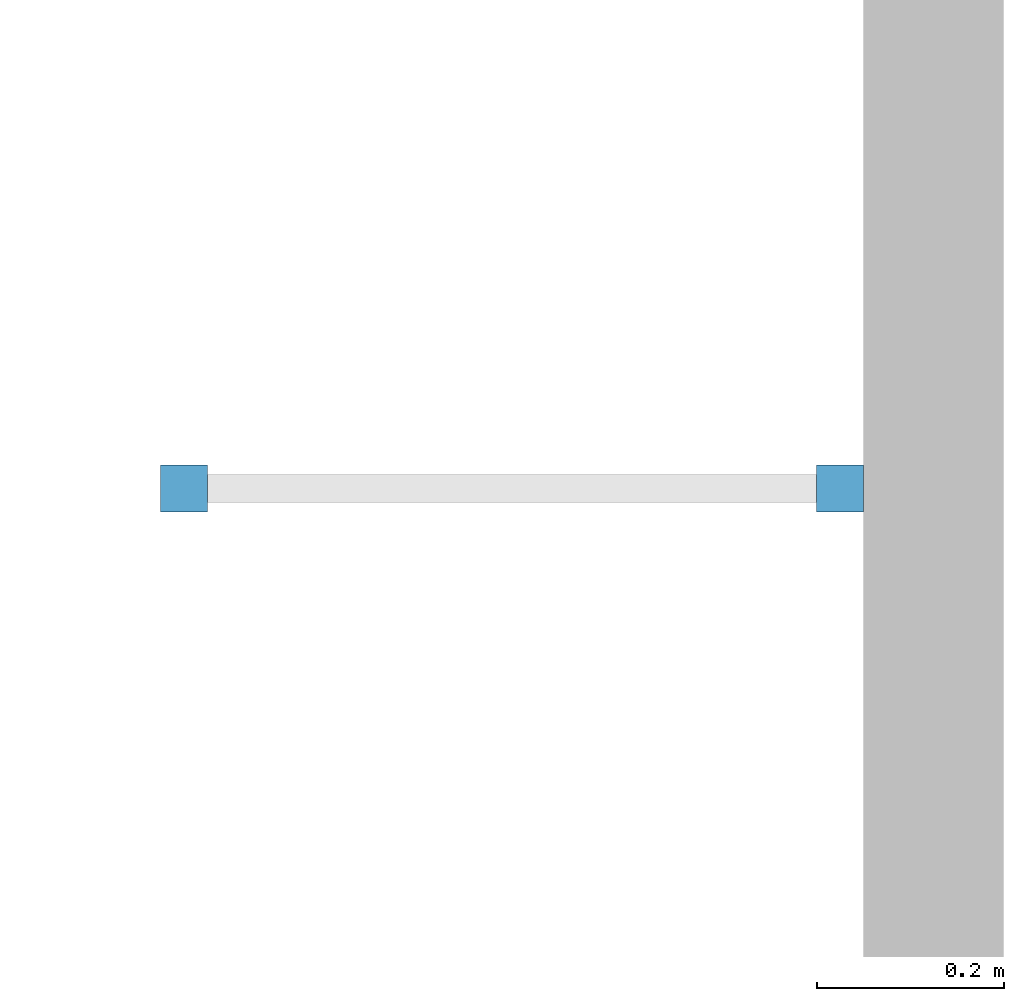
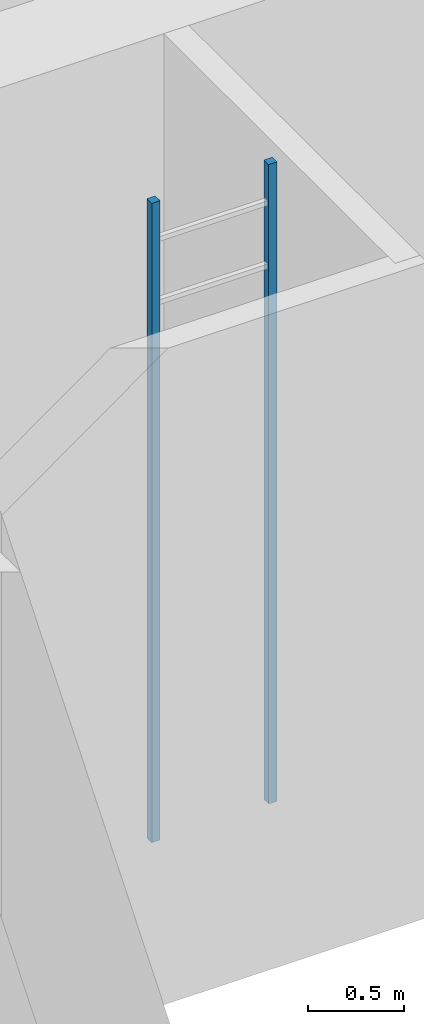
# One storey, part 4 of 27: 2 members.
"""IFC4 building model written with IfcOpenShell, lengths in metres."""

from ifc_helpers import new_model, si_unit, direction, frame, origin, origin_2d, place, context, subcontext, project, spatial, rectangle, extrude, material, material_profile, profile_set, type_object, element, save


model = new_model("IFC4")

# Units and contexts
model_context = context("Model", 3, precision=1e-05, world=origin(), true_north=direction((0.0, 1.0)))
body_context = subcontext(model_context, "Body", "Model", "MODEL_VIEW")
ifc_project = project(units=[si_unit("LENGTHUNIT", "METRE"), si_unit("AREAUNIT", "SQUARE_METRE"), si_unit("VOLUMEUNIT", "CUBIC_METRE"), si_unit("PLANEANGLEUNIT", "RADIAN"), si_unit("MASSUNIT", "GRAM", prefix="KILO")], contexts=[model_context])

# Site, building, storey
site_placement = place(None, origin())
site = spatial("IfcSite", under=ifc_project, at=site_placement, CompositionType="ELEMENT")
building_placement = place(site_placement, origin())
building = spatial("IfcBuilding", under=site, at=building_placement, Name="Dilmun Exchange Tower", CompositionType="ELEMENT")
storey_placement = place(building_placement, frame((0.0, 0.0, 4.5)))
storey = spatial("IfcBuildingStorey", under=building, at=storey_placement, Name="L01", CompositionType="ELEMENT", Elevation=4.5)

# Members
ifc_material = material(Name="Steel S355", Category="steel")
ifc_material_profile = material_profile(ifc_material, rectangle(XDim=0.050048828125, YDim=0.050048828125, at=origin_2d()), Name="50 x 50")
ifc_profile_set = profile_set([ifc_material_profile], Name="Steel S355")
member_type = type_object("IfcMemberType", Name="School roof ladder rail 50", PredefinedType="USERDEFINED", material=ifc_profile_set)
for number, where, z_axis, x_axis, name in (
    (1, (5.60791015625, -37.89990234375, 0.0), (0.0, 0.0, 1.0), (1.0, 0.0, 0.0), "School roof ladder rail"),
    (2, (6.30810546875, -37.89990234375, 0.0), (0.0, 0.0, 1.0), (1.0, 0.0, 0.0), "School roof ladder rail"),
):
    element("IfcMember", number, at=place(storey_placement, frame(where, z_axis=z_axis, x_axis=x_axis)), inside=storey, type_object=member_type, Name=name, ObjectType="LADDER", PredefinedType="USERDEFINED", context=body_context, shape_type="SweptSolid", body=[
        extrude(rectangle(XDim=0.050048828125, YDim=0.050048828125, at=origin_2d()), origin(), (0.0, 0.0, 1.0), 4.050048828125),
    ])

save(model, "model.ifc")
